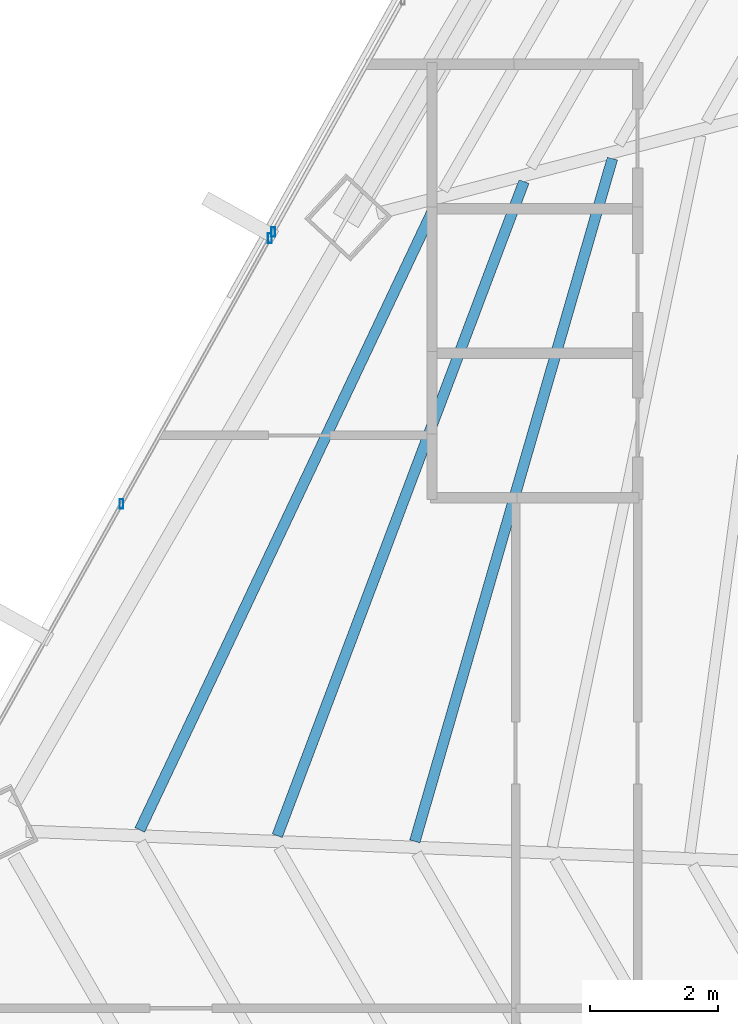
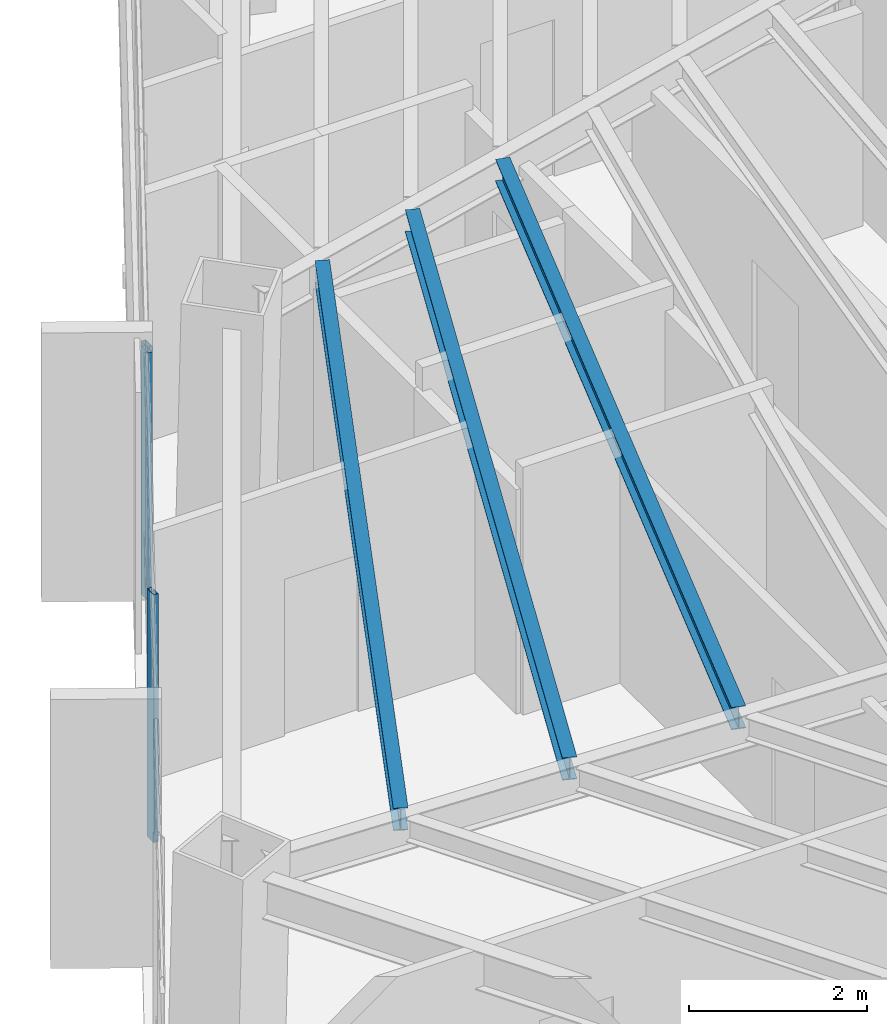
# One storey, part 12 of 38: 3 beams, 3 members, 2 elements without a shape of their own.
"""IFC4 building model written with IfcOpenShell, lengths in metres."""

from ifc_helpers import new_model, si_unit, direction, frame, origin, origin_2d, place, context, subcontext, project, spatial, hollow_rectangle, i_section, extrude, source, transform, mapped, material, material_profile, profile_set, type_object, type_shapes, element, aggregate, save


model = new_model("IFC4")

# Units and contexts
model_context = context("Model", 3, precision=1e-05, world=origin(), true_north=direction((0.0, 1.0)))
body_context = subcontext(model_context, "Body", "Model", "MODEL_VIEW")
ifc_project = project(units=[si_unit("LENGTHUNIT", "METRE"), si_unit("AREAUNIT", "SQUARE_METRE"), si_unit("VOLUMEUNIT", "CUBIC_METRE"), si_unit("PLANEANGLEUNIT", "RADIAN"), si_unit("MASSUNIT", "GRAM", prefix="KILO")], contexts=[model_context])

# Site, building, storey
site_placement = place(None, origin())
site = spatial("IfcSite", under=ifc_project, at=site_placement, CompositionType="ELEMENT")
building_placement = place(site_placement, origin())
building = spatial("IfcBuilding", under=site, at=building_placement, Name="Caelisora Broadcast Tower", CompositionType="ELEMENT")
storey_placement = place(building_placement, frame((0.0, 0.0, 158.5)))
storey = spatial("IfcBuildingStorey", under=building, at=storey_placement, Name="L41", CompositionType="ELEMENT", Elevation=158.5)

# Beams
ifc_material_1 = material(Name="Steel Grade 350 (AS/NZS 3679.1)", Category="steel")
ifc_material_profile_1 = material_profile(ifc_material_1, i_section(OverallWidth=0.166015625, OverallDepth=0.30712890625, WebThickness=0.006591796875, FlangeThickness=0.01171875, at=origin_2d()), Name="Steel Grade 350 (AS/NZS 3679.1)")
ifc_profile_set_1 = profile_set([ifc_material_profile_1], Name="Steel Grade 350 (AS/NZS 3679.1)")
beam_type = type_object("IfcBeamType", Name="SB03", PredefinedType="JOIST", material=ifc_profile_set_1)
shared_shape_1 = source(origin(), body_context, "Body", "SweptSolid", [
    extrude(i_section(OverallWidth=0.166015625, OverallDepth=0.30712890625, WebThickness=0.006591796875, FlangeThickness=0.01171875, at=origin_2d()), origin(), (0.0, 0.0, 1.0), 11.06591796875),
])
beam_1_placement = place(storey_placement, frame((25.0068359375, 28.479248046875, 3.246337890625), z_axis=(-0.277942363124, -0.96059775285, 0.0), x_axis=(0.96059775285, -0.277942363124, 0.0)))
element("IfcBeam", 1, at=beam_1_placement, inside=storey, type_object=beam_type, Name="L41 beam SB03", PredefinedType="JOIST", context=body_context, shape_type="MappedRepresentation", body=[
    mapped(shared_shape_1, transform((0.0, 0.0, 0.0), scale=1.0)),
])
shared_shape_2 = source(origin(), body_context, "Body", "SweptSolid", [
    extrude(i_section(OverallWidth=0.166015625, OverallDepth=0.30712890625, WebThickness=0.006591796875, FlangeThickness=0.01171875, at=origin_2d()), origin(), (0.0, 0.0, 1.0), 10.884033203125),
])
beam_2_placement = place(storey_placement, frame((23.630859375, 28.122314453125, 3.246337890625), z_axis=(-0.352865709297, -0.935673976982, 0.0), x_axis=(0.935673976982, -0.352865709297, 0.0)))
element("IfcBeam", 2, at=beam_2_placement, inside=storey, type_object=beam_type, Name="L41 beam SB03", PredefinedType="JOIST", context=body_context, shape_type="MappedRepresentation", body=[
    mapped(shared_shape_2, transform((0.0, 0.0, 0.0), scale=1.0)),
])
shared_shape_3 = source(origin(), body_context, "Body", "SweptSolid", [
    extrude(i_section(OverallWidth=0.166015625, OverallDepth=0.30712890625, WebThickness=0.006591796875, FlangeThickness=0.01171875, at=origin_2d()), origin(), (0.0, 0.0, 1.0), 10.770751953125),
])
type_shapes(beam_type, [shared_shape_1, shared_shape_2, shared_shape_3])
beam_3_placement = place(storey_placement, frame((22.25341796875, 27.764892578125, 3.246337890625), z_axis=(-0.427411954529, -0.904056978915, 0.0), x_axis=(0.904056978915, -0.427411954529, 0.0)))
element("IfcBeam", 3, at=beam_3_placement, inside=storey, type_object=beam_type, Name="L41 beam SB03", PredefinedType="JOIST", context=body_context, shape_type="MappedRepresentation", body=[
    mapped(shared_shape_3, transform((0.0, 0.0, 0.0), scale=1.0)),
])

# Curtain wall, members
ifc_material_2 = material(Name="Unitised Aluminium and Low-E Glass Curtain Wall", Category="glass")
curtain_wall_type_1 = type_object("IfcCurtainWallType", Name="CW-Z3", PredefinedType="NOTDEFINED", material=ifc_material_2)
curtain_wall_1_placement = place(storey_placement, origin())
curtain_wall_1 = element("IfcCurtainWall", 4, at=curtain_wall_1_placement, inside=storey, type_object=curtain_wall_type_1, Name="L41 curtain wall CW-Z3", PredefinedType="NOTDEFINED")
ifc_material_3 = material(Name="Aluminium 6063-T6 Anodised Terracotta Bronze", Category="aluminium")
ifc_material_profile_2 = material_profile(ifc_material_3, hollow_rectangle(XDim=0.06005859375, YDim=0.14990234375, WallThickness=0.00341796875, at=origin_2d()), Name="Aluminium 6063-T6 Anodised Terracotta Bronze")
ifc_profile_set_2 = profile_set([ifc_material_profile_2], Name="Aluminium 6063-T6 Anodised Terracotta Bronze")
member_type = type_object("IfcMemberType", Name="CWM-03", PredefinedType="MULLION", material=ifc_profile_set_2)
shared_shape_4 = source(origin(), body_context, "Body", "SweptSolid", [
    extrude(hollow_rectangle(XDim=0.06005859375, YDim=0.14990234375, WallThickness=0.00341796875, at=origin_2d()), origin(), (0.0, 0.0, 1.0), 3.39990234375),
])
type_shapes(member_type, [shared_shape_4])
member_1_placement = place(storey_placement, frame((17.364501953125, 23.104248046875, 0.0), z_axis=(0.0, 0.0, 1.0), x_axis=(1.0, 0.0, 0.0)))
member_1 = element("IfcMember", 5, at=member_1_placement, type_object=member_type, Name="L41-CW-B09 mullion #2", PredefinedType="MULLION", context=body_context, shape_type="MappedRepresentation", body=[
    mapped(shared_shape_4, transform((0.0, 0.0, 0.0), scale=1.0)),
])
member_2_placement = place(storey_placement, frame((19.673828125, 27.2392578125, 0.0), z_axis=(0.0, 0.0, 1.0), x_axis=(1.0, 0.0, 0.0)))
member_2 = element("IfcMember", 6, at=member_2_placement, type_object=member_type, Name="L41-CW-B09 mullion #3", PredefinedType="MULLION", context=body_context, shape_type="MappedRepresentation", body=[
    mapped(shared_shape_4, transform((0.0, 0.0, 0.0), scale=1.0)),
])
aggregate(curtain_wall_1, [member_1, member_2])

# Curtain wall, member
ifc_material_4 = material(Name="Unitised Aluminium Insulated Shadow-Box Spandrel Curtain Wall", Category="aluminium")
curtain_wall_type_2 = type_object("IfcCurtainWallType", Name="CW-SP2", PredefinedType="NOTDEFINED", material=ifc_material_4)
curtain_wall_2_placement = place(storey_placement, origin())
curtain_wall_2 = element("IfcCurtainWall", 7, at=curtain_wall_2_placement, inside=storey, type_object=curtain_wall_type_2, Name="L41 curtain wall CW-SP2", PredefinedType="NOTDEFINED")
member_3_placement = place(storey_placement, frame((19.7275390625, 27.335205078125, 0.0), z_axis=(0.0, 0.0, 1.0), x_axis=(1.0, 0.0, 0.0)))
member_3 = element("IfcMember", 8, at=member_3_placement, type_object=member_type, Name="L41-CW-B10 mullion #0", PredefinedType="MULLION", context=body_context, shape_type="MappedRepresentation", body=[
    mapped(shared_shape_4, transform((0.0, 0.0, 0.0), scale=1.0)),
])
aggregate(curtain_wall_2, [member_3])

save(model, "model.ifc")
